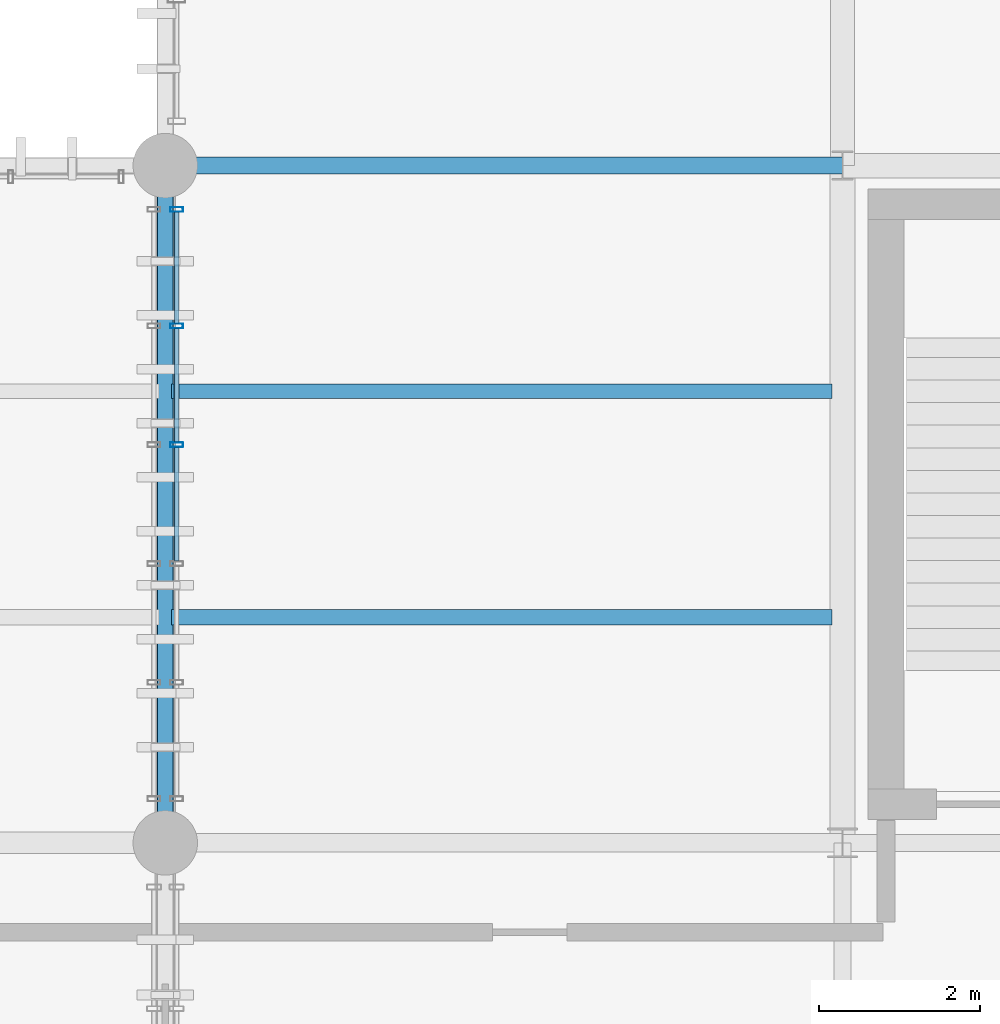
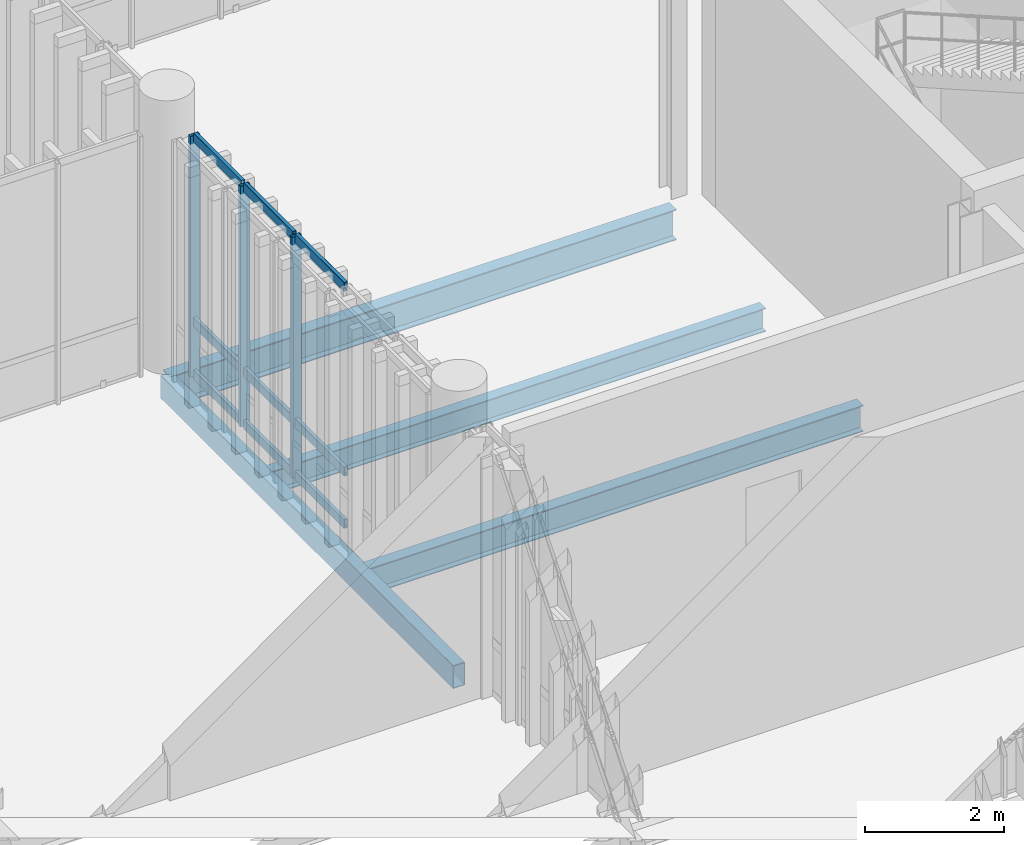
# One storey, part 29 of 94: 12 members, 4 beams, 1 element without a shape of its own.
"""IFC4 building model written with IfcOpenShell, lengths in metres."""

from ifc_helpers import new_model, si_unit, direction, frame, origin_with_axes, origin_2d_with_axis, place, context, subcontext, project, spatial, hollow_rectangle, i_section, extrude, material, material_profile, profile_set, type_object, element, aggregate, save


model = new_model("IFC4")

# Units and contexts
model_context = context("Model", 3, precision=1e-05, world=origin_with_axes(), true_north=direction((0.0, 1.0)))
body_context = subcontext(model_context, "Body", "Model", "MODEL_VIEW")
ifc_project = project(units=[si_unit("LENGTHUNIT", "METRE"), si_unit("AREAUNIT", "SQUARE_METRE"), si_unit("VOLUMEUNIT", "CUBIC_METRE"), si_unit("PLANEANGLEUNIT", "RADIAN"), si_unit("MASSUNIT", "GRAM", prefix="KILO"), si_unit("THERMODYNAMICTEMPERATUREUNIT", "KELVIN")], contexts=[model_context])

# Site, building, storey
site_placement = place(None, origin_with_axes())
site = spatial("IfcSite", under=ifc_project, at=site_placement, CompositionType="ELEMENT")
building_placement = place(site_placement, origin_with_axes())
building = spatial("IfcBuilding", under=site, at=building_placement, Name="Montbau Bow Law Courts", CompositionType="ELEMENT")
storey_placement = place(building_placement, frame((0.0, 0.0, 15.6), z_axis=(0.0, 0.0, 1.0), x_axis=(1.0, 0.0, 0.0)))
storey = spatial("IfcBuildingStorey", under=building, at=storey_placement, Name="L03", CompositionType="ELEMENT", Elevation=15.6)

# Beams
ifc_material_1 = material(Name="Steel CSA G40.21 Grade 350W (350 MPa)", Category="steel")
ifc_material_profile_1 = material_profile(ifc_material_1, i_section(OverallWidth=0.21, OverallDepth=0.537, WebThickness=0.0109, FlangeThickness=0.0174, at=origin_2d_with_axis()), Name="W530X101", Category="Main", Priority=0)
ifc_profile_set_1 = profile_set([ifc_material_profile_1], Name="Steel CSA G40.21 Grade 350W (350 MPa)")
beam_type_1 = type_object("IfcBeamType", Name="B-FLR-06", PredefinedType="BEAM", material=ifc_profile_set_1)
beam_1_placement = place(None, frame((46.8, 54.6, 15.072), z_axis=(1.0, 0.0, 0.0), x_axis=(0.0, 1.0, 0.0)))
element("IfcBeam", 1, at=beam_1_placement, inside=storey, type_object=beam_type_1, Name="BM-L03-S0886:bm2_0889", PredefinedType="BEAM", context=body_context, shape_type="SweptSolid", body=[
    extrude(i_section(OverallWidth=0.21, OverallDepth=0.537, WebThickness=0.0109, FlangeThickness=0.0174, at=origin_2d_with_axis()), origin_with_axes(), (0.0, 0.0, 1.0), 8.4),
])
ifc_material_profile_2 = material_profile(ifc_material_1, i_section(OverallWidth=0.191, OverallDepth=0.46, WebThickness=0.0099, FlangeThickness=0.016, at=origin_2d_with_axis()), Name="W460X82", Category="Main", Priority=0)
ifc_profile_set_2 = profile_set([ifc_material_profile_2], Name="Steel CSA G40.21 Grade 350W (350 MPa)")
beam_type_2 = type_object("IfcBeamType", Name="B-JST-01", PredefinedType="JOIST", material=ifc_profile_set_2)
beam_2_placement = place(None, frame((46.88, 49.0, 15.11), z_axis=(1.0, 0.0, 0.0), x_axis=(0.0, 1.0, 0.0)))
element("IfcBeam", 2, at=beam_2_placement, inside=storey, type_object=beam_type_2, Name="JST-L03-S0456:jst2_0456", PredefinedType="JOIST", context=body_context, shape_type="SweptSolid", body=[
    extrude(i_section(OverallWidth=0.191, OverallDepth=0.46, WebThickness=0.0099, FlangeThickness=0.016, at=origin_2d_with_axis()), origin_with_axes(), (0.0, 0.0, 1.0), 8.191),
])
ifc_material_profile_3 = material_profile(ifc_material_1, i_section(OverallWidth=0.179, OverallDepth=0.41, WebThickness=0.0088, FlangeThickness=0.0144, at=origin_2d_with_axis()), Name="W410X67", Category="Main", Priority=0)
ifc_profile_set_3 = profile_set([ifc_material_profile_3], Name="Steel CSA G40.21 Grade 350W (350 MPa)")
beam_type_3 = type_object("IfcBeamType", Name="B-JST-02", PredefinedType="JOIST", material=ifc_profile_set_3)
beam_3_placement = place(None, frame((46.88, 51.8, 15.135), z_axis=(1.0, 0.0, 0.0), x_axis=(0.0, 1.0, 0.0)))
element("IfcBeam", 3, at=beam_3_placement, inside=storey, type_object=beam_type_3, Name="JST-L03-S0457:jst2_0457", PredefinedType="JOIST", context=body_context, shape_type="SweptSolid", body=[
    extrude(i_section(OverallWidth=0.179, OverallDepth=0.41, WebThickness=0.0088, FlangeThickness=0.0144, at=origin_2d_with_axis()), origin_with_axes(), (0.0, 0.0, 1.0), 8.191),
])
ifc_material_2 = material(Name="Steel CSA G40.21 Grade 350WT (350 MPa)", Category="steel")
ifc_material_profile_4 = material_profile(ifc_material_2, hollow_rectangle(XDim=0.203, YDim=0.406, WallThickness=0.0127, InnerFilletRadius=0.0254, OuterFilletRadius=0.0127, at=origin_2d_with_axis()), Name="HSS406X203X13", Category="Main", Priority=0)
ifc_profile_set_4 = profile_set([ifc_material_profile_4], Name="Steel CSA G40.21 Grade 350WT (350 MPa)")
beam_type_4 = type_object("IfcBeamType", Name="B-SPN-01", PredefinedType="SPANDREL", material=ifc_profile_set_4)
beam_4_placement = place(None, frame((46.8, 46.2, 15.137), z_axis=(0.0, 1.0, 0.0), x_axis=(-1.0, 0.0, 0.0)))
element("IfcBeam", 4, at=beam_4_placement, inside=storey, type_object=beam_type_4, Name="SPN-L03-S0616:bm2_0619", PredefinedType="SPANDREL", context=body_context, shape_type="SweptSolid", body=[
    extrude(hollow_rectangle(XDim=0.203, YDim=0.406, WallThickness=0.0127, InnerFilletRadius=0.0254, OuterFilletRadius=0.0127, at=origin_2d_with_axis()), origin_with_axes(), (0.0, 0.0, 1.0), 8.4),
])

# Curtain wall, members
ifc_material_3 = material(Name="Thermally Broken Extruded Aluminium AA 6063-T6", Category="aluminium")
curtain_wall_type = type_object("IfcCurtainWallType", Name="CW-CRM-01", PredefinedType="NOTDEFINED", material=ifc_material_3)
curtain_wall_placement = place(None, frame((46.94, 46.715, 15.6), z_axis=(0.0, 0.0, 1.0), x_axis=(1.0, 0.0, 0.0)))
curtain_wall = element("IfcCurtainWall", 5, at=curtain_wall_placement, inside=storey, type_object=curtain_wall_type, Name="CW-L03-188:cw_0188", PredefinedType="NOTDEFINED")
ifc_material_profile_5 = material_profile(ifc_material_3, hollow_rectangle(XDim=0.06, YDim=0.16, WallThickness=0.004, InnerFilletRadius=0.008, OuterFilletRadius=0.004, at=origin_2d_with_axis()), Name="CWM-160X60", Category="Main", Priority=0)
ifc_profile_set_5 = profile_set([ifc_material_profile_5], Name="Thermally Broken Extruded Aluminium AA 6063-T6")
member_type_1 = type_object("IfcMemberType", Name="M-MUL-03", PredefinedType="MULLION", material=ifc_profile_set_5)
member_1_placement = place(None, frame((46.94, 51.137, 15.6), z_axis=(0.0, 0.0, 1.0), x_axis=(0.0, 1.0, 0.0)))
member_1 = element("IfcMember", 6, at=member_1_placement, type_object=member_type_1, Name="CW-L03-188-M04:cw_0188_M04", PredefinedType="MULLION", context=body_context, shape_type="SweptSolid", body=[
    extrude(hollow_rectangle(XDim=0.06, YDim=0.16, WallThickness=0.004, InnerFilletRadius=0.008, OuterFilletRadius=0.004, at=origin_2d_with_axis()), origin_with_axes(), (0.0, 0.0, 1.0), 4.22),
])
member_2_placement = place(None, frame((46.94, 52.611, 15.6), z_axis=(0.0, 0.0, 1.0), x_axis=(0.0, 1.0, 0.0)))
member_2 = element("IfcMember", 7, at=member_2_placement, type_object=member_type_1, Name="CW-L03-188-M05:cw_0188_M05", PredefinedType="MULLION", context=body_context, shape_type="SweptSolid", body=[
    extrude(hollow_rectangle(XDim=0.06, YDim=0.16, WallThickness=0.004, InnerFilletRadius=0.008, OuterFilletRadius=0.004, at=origin_2d_with_axis()), origin_with_axes(), (0.0, 0.0, 1.0), 4.22),
])
member_3_placement = place(None, frame((46.94, 54.055, 15.6), z_axis=(0.0, 0.0, 1.0), x_axis=(0.0, 1.0, 0.0)))
member_3 = element("IfcMember", 8, at=member_3_placement, type_object=member_type_1, Name="CW-L03-188-M06:cw_0188_M06", PredefinedType="MULLION", context=body_context, shape_type="SweptSolid", body=[
    extrude(hollow_rectangle(XDim=0.06, YDim=0.16, WallThickness=0.004, InnerFilletRadius=0.008, OuterFilletRadius=0.004, at=origin_2d_with_axis()), origin_with_axes(), (0.0, 0.0, 1.0), 4.22),
])
ifc_material_profile_6 = material_profile(ifc_material_3, hollow_rectangle(XDim=0.06, YDim=0.16, WallThickness=0.004, InnerFilletRadius=0.008, OuterFilletRadius=0.004, at=origin_2d_with_axis()), Name="CWT-160X60", Category="Main", Priority=0)
ifc_profile_set_6 = profile_set([ifc_material_profile_6], Name="Thermally Broken Extruded Aluminium AA 6063-T6")
member_type_2 = type_object("IfcMemberType", Name="M-TRN-01", PredefinedType="USERDEFINED", material=ifc_profile_set_6)
member_4_placement = place(None, frame((46.94, 49.695, 15.63), z_axis=(0.0, 1.0, 0.0), x_axis=(-1.0, 0.0, 0.0)))
member_4 = element("IfcMember", 9, at=member_4_placement, type_object=member_type_2, Name="CW-L03-188-T03-1:cw_0188_T03_1", ObjectType="TRANSOM", PredefinedType="USERDEFINED", context=body_context, shape_type="SweptSolid", body=[
    extrude(hollow_rectangle(XDim=0.06, YDim=0.16, WallThickness=0.004, InnerFilletRadius=0.008, OuterFilletRadius=0.004, at=origin_2d_with_axis()), origin_with_axes(), (0.0, 0.0, 1.0), 1.41),
])
member_5_placement = place(None, frame((46.94, 49.695, 16.55), z_axis=(0.0, 1.0, 0.0), x_axis=(-1.0, 0.0, 0.0)))
member_5 = element("IfcMember", 10, at=member_5_placement, type_object=member_type_2, Name="CW-L03-188-T03-2:cw_0188_T03_2", ObjectType="TRANSOM", PredefinedType="USERDEFINED", context=body_context, shape_type="SweptSolid", body=[
    extrude(hollow_rectangle(XDim=0.06, YDim=0.16, WallThickness=0.004, InnerFilletRadius=0.008, OuterFilletRadius=0.004, at=origin_2d_with_axis()), origin_with_axes(), (0.0, 0.0, 1.0), 1.41),
])
member_6_placement = place(None, frame((46.94, 49.695, 19.79), z_axis=(0.0, 1.0, 0.0), x_axis=(-1.0, 0.0, 0.0)))
member_6 = element("IfcMember", 11, at=member_6_placement, type_object=member_type_2, Name="CW-L03-188-T03-3:cw_0188_T03_3", ObjectType="TRANSOM", PredefinedType="USERDEFINED", context=body_context, shape_type="SweptSolid", body=[
    extrude(hollow_rectangle(XDim=0.06, YDim=0.16, WallThickness=0.004, InnerFilletRadius=0.008, OuterFilletRadius=0.004, at=origin_2d_with_axis()), origin_with_axes(), (0.0, 0.0, 1.0), 1.41),
])
member_7_placement = place(None, frame((46.94, 51.169, 15.63), z_axis=(0.0, 1.0, 0.0), x_axis=(-1.0, 0.0, 0.0)))
member_7 = element("IfcMember", 12, at=member_7_placement, type_object=member_type_2, Name="CW-L03-188-T04-1:cw_0188_T04_1", ObjectType="TRANSOM", PredefinedType="USERDEFINED", context=body_context, shape_type="SweptSolid", body=[
    extrude(hollow_rectangle(XDim=0.06, YDim=0.16, WallThickness=0.004, InnerFilletRadius=0.008, OuterFilletRadius=0.004, at=origin_2d_with_axis()), origin_with_axes(), (0.0, 0.0, 1.0), 1.41),
])
member_8_placement = place(None, frame((46.94, 51.169, 16.55), z_axis=(0.0, 1.0, 0.0), x_axis=(-1.0, 0.0, 0.0)))
member_8 = element("IfcMember", 13, at=member_8_placement, type_object=member_type_2, Name="CW-L03-188-T04-2:cw_0188_T04_2", ObjectType="TRANSOM", PredefinedType="USERDEFINED", context=body_context, shape_type="SweptSolid", body=[
    extrude(hollow_rectangle(XDim=0.06, YDim=0.16, WallThickness=0.004, InnerFilletRadius=0.008, OuterFilletRadius=0.004, at=origin_2d_with_axis()), origin_with_axes(), (0.0, 0.0, 1.0), 1.41),
])
member_9_placement = place(None, frame((46.94, 51.169, 19.79), z_axis=(0.0, 1.0, 0.0), x_axis=(-1.0, 0.0, 0.0)))
member_9 = element("IfcMember", 14, at=member_9_placement, type_object=member_type_2, Name="CW-L03-188-T04-3:cw_0188_T04_3", ObjectType="TRANSOM", PredefinedType="USERDEFINED", context=body_context, shape_type="SweptSolid", body=[
    extrude(hollow_rectangle(XDim=0.06, YDim=0.16, WallThickness=0.004, InnerFilletRadius=0.008, OuterFilletRadius=0.004, at=origin_2d_with_axis()), origin_with_axes(), (0.0, 0.0, 1.0), 1.41),
])
member_10_placement = place(None, frame((46.94, 52.643, 15.63), z_axis=(0.0, 1.0, 0.0), x_axis=(-1.0, 0.0, 0.0)))
member_10 = element("IfcMember", 15, at=member_10_placement, type_object=member_type_2, Name="CW-L03-188-T05-1:cw_0188_T05_1", ObjectType="TRANSOM", PredefinedType="USERDEFINED", context=body_context, shape_type="SweptSolid", body=[
    extrude(hollow_rectangle(XDim=0.06, YDim=0.16, WallThickness=0.004, InnerFilletRadius=0.008, OuterFilletRadius=0.004, at=origin_2d_with_axis()), origin_with_axes(), (0.0, 0.0, 1.0), 1.38),
])
member_11_placement = place(None, frame((46.94, 52.643, 16.55), z_axis=(0.0, 1.0, 0.0), x_axis=(-1.0, 0.0, 0.0)))
member_11 = element("IfcMember", 16, at=member_11_placement, type_object=member_type_2, Name="CW-L03-188-T05-2:cw_0188_T05_2", ObjectType="TRANSOM", PredefinedType="USERDEFINED", context=body_context, shape_type="SweptSolid", body=[
    extrude(hollow_rectangle(XDim=0.06, YDim=0.16, WallThickness=0.004, InnerFilletRadius=0.008, OuterFilletRadius=0.004, at=origin_2d_with_axis()), origin_with_axes(), (0.0, 0.0, 1.0), 1.38),
])
member_12_placement = place(None, frame((46.94, 52.643, 19.79), z_axis=(0.0, 1.0, 0.0), x_axis=(-1.0, 0.0, 0.0)))
member_12 = element("IfcMember", 17, at=member_12_placement, type_object=member_type_2, Name="CW-L03-188-T05-3:cw_0188_T05_3", ObjectType="TRANSOM", PredefinedType="USERDEFINED", context=body_context, shape_type="SweptSolid", body=[
    extrude(hollow_rectangle(XDim=0.06, YDim=0.16, WallThickness=0.004, InnerFilletRadius=0.008, OuterFilletRadius=0.004, at=origin_2d_with_axis()), origin_with_axes(), (0.0, 0.0, 1.0), 1.38),
])
aggregate(curtain_wall, [member_1, member_2, member_3, member_4, member_5, member_6, member_7, member_8, member_9, member_10, member_11, member_12])

save(model, "model.ifc")
